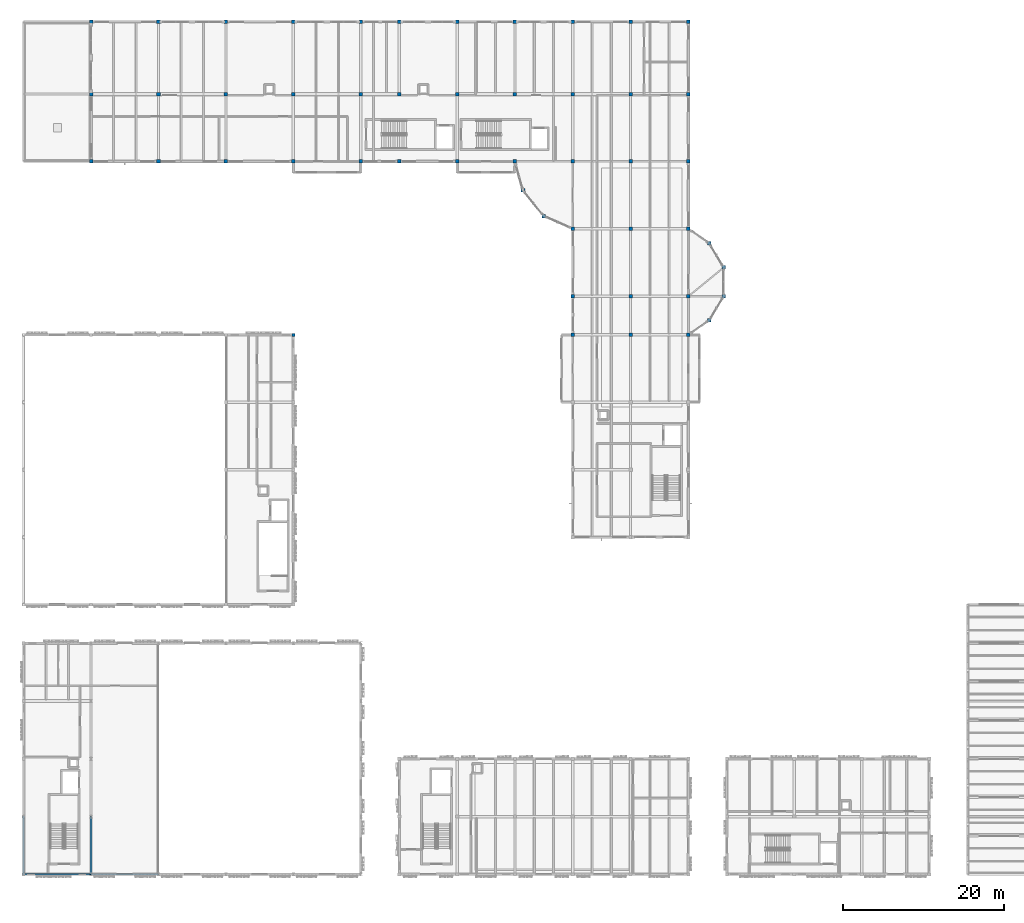
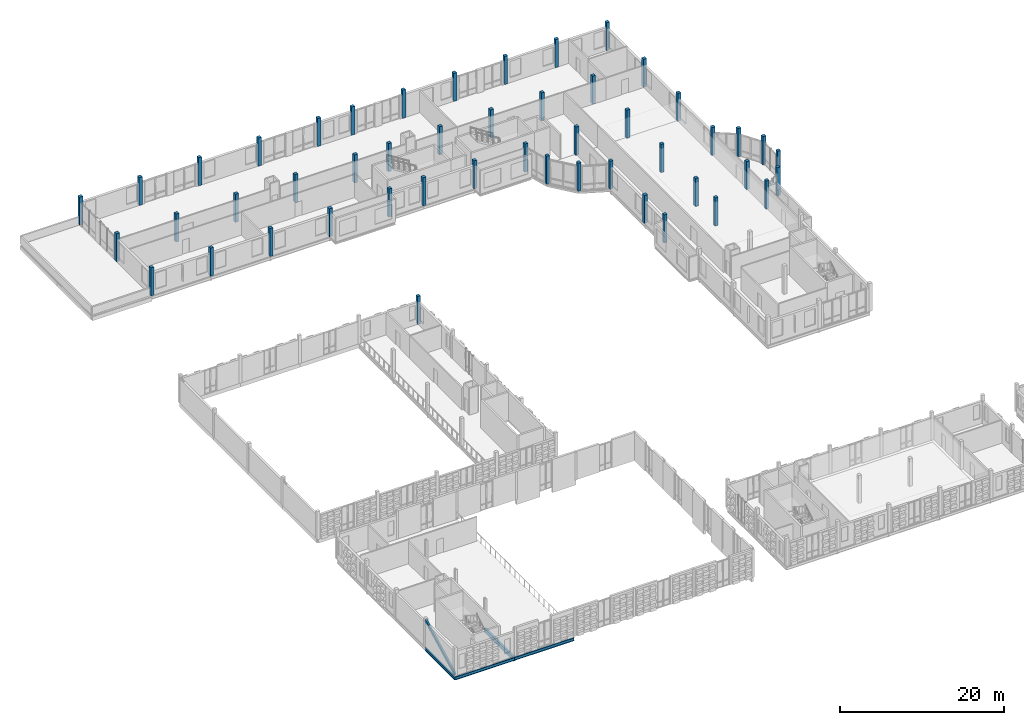
# One storey, part 4 of 81: 49 columns, 4 beams, 1 member.
"""IFC4 building model written with IfcOpenShell, lengths in metres."""

import ifcopenshell
import ifcopenshell.guid

model = None  # the IFC model being written
_history = None  # IfcOwnerHistory: only IFC2X3 demands one
_inside = {}  # id of a spatial element -> (the spatial element, [elements in it])
_under = {}  # id of a project, library or spatial element -> (it, [spatial elements below it])
_declared = {}  # id of a project -> (the project, [libraries it declares])
_typed = {}  # id of a type object -> (the type object, [elements of that type])
_made_of = {}  # id of a material, layer set ... -> (it, [elements and type objects made of it])


def new_model(schema):
    """Start an empty IFC model of exactly this schema.

    Asked for "IFC4X3", IfcOpenShell would pick the latest addendum, in which some entities
    have other attributes; the version numbers below select the first issue.
    IFC2X3 requires an IfcOwnerHistory on every rooted entity: one is made here for all.
    """
    global model, _history
    if schema == "IFC4X3":
        model = ifcopenshell.file(schema_version=(4, 3, 0, 0))
    else:
        model = ifcopenshell.file(schema=schema)
    _inside.clear()
    _under.clear()
    _declared.clear()
    _typed.clear()
    _made_of.clear()
    _history = None
    if model.schema == "IFC2X3":
        org = make("IfcOrganization", Name="unknown")
        user = make(
            "IfcPersonAndOrganization",
            ThePerson=make("IfcPerson", FamilyName="unknown"),
            TheOrganization=org,
        )
        app = make(
            "IfcApplication",
            ApplicationDeveloper=org,
            Version="unknown",
            ApplicationFullName="unknown",
            ApplicationIdentifier="unknown",
        )
        _history = make(
            "IfcOwnerHistory",
            OwningUser=user,
            OwningApplication=app,
            ChangeAction="ADDED",
            CreationDate=0,
        )
    return model


def make(cls, **values):
    """One entity of the class cls with the attributes given. An attribute that is None is left unset."""
    return model.create_entity(
        cls, **{name: value for name, value in values.items() if value is not None}
    )


def rooted(cls, **values):
    """An entity with a GlobalId (a new one), such as an element, a storey or a relation."""
    return make(cls, GlobalId=ifcopenshell.guid.new(), OwnerHistory=_history, **values)


def si_unit(unit_type, name, prefix=None):
    """IfcSIUnit, for example si_unit("LENGTHUNIT", "METRE", prefix="MILLI")."""
    return make("IfcSIUnit", UnitType=unit_type, Prefix=prefix, Name=name)


def assignment(units):
    """IfcUnitAssignment: the units of a project."""
    return None if units is None else make("IfcUnitAssignment", Units=units)


def point(xyz):
    """IfcCartesianPoint."""
    return None if xyz is None else make("IfcCartesianPoint", Coordinates=xyz)


def direction(xyz):
    """IfcDirection."""
    return None if xyz is None else make("IfcDirection", DirectionRatios=xyz)


def frame(location, z_axis=None, x_axis=None):
    """IfcAxis2Placement3D, a coordinate frame: its origin and axes. An axis left out is left unset."""
    return make(
        "IfcAxis2Placement3D",
        Location=point(location),
        Axis=direction(z_axis),
        RefDirection=direction(x_axis),
    )


def frame_2d(location, x_axis=None):
    """IfcAxis2Placement2D, a coordinate frame in the plane: its origin and x axis."""
    return make(
        "IfcAxis2Placement2D", Location=point(location), RefDirection=direction(x_axis)
    )


def origin():
    """The frame at (0, 0, 0) with its axes left unset."""
    return frame((0.0, 0.0, 0.0))


def origin_2d():
    """The frame at (0, 0) in the plane with its x axis left unset."""
    return frame_2d((0.0, 0.0))


def place(relative_to, where):
    """IfcLocalPlacement: puts the frame where relative to a parent placement (None: the world)."""
    return make(
        "IfcLocalPlacement", PlacementRelTo=relative_to, RelativePlacement=where
    )


def context(
    kind, dimensions, precision=None, world=None, true_north=None, identifier=None
):
    """IfcGeometricRepresentationContext, for example the 3D "Model" context."""
    return make(
        "IfcGeometricRepresentationContext",
        ContextIdentifier=identifier,
        ContextType=kind,
        CoordinateSpaceDimension=dimensions,
        Precision=precision,
        WorldCoordinateSystem=world,
        TrueNorth=true_north,
    )


def subcontext(parent, identifier, kind, view, scale=None):
    """IfcGeometricRepresentationSubContext, for example "Body" below "Model"."""
    return make(
        "IfcGeometricRepresentationSubContext",
        ContextIdentifier=identifier,
        ContextType=kind,
        ParentContext=parent,
        TargetScale=scale,
        TargetView=view,
    )


def project(units=None, contexts=None):
    """IfcProject with its units and contexts."""
    return rooted(
        "IfcProject",
        Name="project",
        RepresentationContexts=contexts,
        UnitsInContext=assignment(units),
    )


def spatial(cls, under=None, at=None, **own):
    """A site, building, storey or space (cls), placed at a placement, below another one or the project."""
    s = rooted(cls, ObjectPlacement=at, **own)
    if under is not None:
        _under.setdefault(under.id(), (under, []))[1].append(s)
    return s


def profile(cls, at=None, kind="AREA", **sizes):
    """A parametric profile (cls). Its sizes go by their IFC names, for example OverallWidth=200.0."""
    return make(cls, ProfileType=kind, Position=at, **sizes)


def rectangle(**sizes):
    """IfcRectangleProfileDef."""
    return profile("IfcRectangleProfileDef", **sizes)


def hollow_rectangle(**sizes):
    """IfcRectangleHollowProfileDef."""
    return profile("IfcRectangleHollowProfileDef", **sizes)


def i_section(**sizes):
    """IfcIShapeProfileDef."""
    return profile("IfcIShapeProfileDef", **sizes)


def extrude(swept, where, along, depth):
    """IfcExtrudedAreaSolid: the profile swept, set in the frame where, extruded along a direction by depth."""
    return make(
        "IfcExtrudedAreaSolid",
        SweptArea=swept,
        Position=where,
        ExtrudedDirection=direction(along),
        Depth=depth,
    )


def shape(context_of_items, identifier, shape_type, items):
    """IfcShapeRepresentation: the items that make up one representation, for example the "Body"."""
    return make(
        "IfcShapeRepresentation",
        ContextOfItems=context_of_items,
        RepresentationIdentifier=identifier,
        RepresentationType=shape_type,
        Items=items,
    )


def material(Name=None, Category=None):
    """IfcMaterial."""
    return make("IfcMaterial", Name=Name, Category=Category)


def material_profile(
    of_material, cross_section, Name=None, Category=None, Priority=None
):
    """IfcMaterialProfile: a cross section and its material."""
    return make(
        "IfcMaterialProfile",
        Name=Name,
        Material=of_material,
        Profile=cross_section,
        Priority=Priority,
        Category=Category,
    )


def profile_set(profiles, Name=None, composite=None):
    """IfcMaterialProfileSet."""
    return make(
        "IfcMaterialProfileSet",
        Name=Name,
        MaterialProfiles=profiles,
        CompositeProfile=composite,
    )


def made_of(thing, what):
    """Note that an element or type object is made of a material, layer set ...; save() writes the relation."""
    if what is not None:
        _made_of.setdefault(what.id(), (what, []))[1].append(thing)
    return thing


def type_object(cls, material=None, **own):
    """A type object (cls), such as IfcWallType, which elements share."""
    return made_of(rooted(cls, **own), material)


def element(
    cls,
    number,
    at=None,
    inside=None,
    cuts=None,
    type_object=None,
    material=None,
    context=None,
    identifier="Body",
    shape_type=None,
    held_by="IfcProductDefinitionShape",
    body=None,
    shapes=None,
    **own,
):
    """One element of the class cls, such as IfcWall. Its Tag is "e" and its number.

    at: its placement. inside: the storey or other place that contains it. cuts: it is an
    opening in that element (IfcRelVoidsElement). A single representation is given by context,
    identifier, shape_type and body (its items); several are given by shapes. held_by: the class
    of the entity that holds the representations. save() writes the other relations.
    """
    e = rooted(cls, Tag="e%d" % number, ObjectPlacement=at, **own)
    if body is not None:
        shapes = [shape(context, identifier, shape_type, body)]
    if shapes is not None:
        e.Representation = make(held_by, Representations=shapes)
    if inside is not None:
        _inside.setdefault(inside.id(), (inside, []))[1].append(e)
    if cuts is not None:
        rooted(
            "IfcRelVoidsElement", RelatingBuildingElement=cuts, RelatedOpeningElement=e
        )
    if type_object is not None:
        _typed.setdefault(type_object.id(), (type_object, []))[1].append(e)
    return made_of(e, material)


def aggregate(whole, parts):
    """IfcRelAggregates: a whole, such as a stair, and the parts it consists of."""
    return rooted("IfcRelAggregates", RelatingObject=whole, RelatedObjects=parts)


def save(model, path):
    """Write the relations noted so far, then the file.

    IfcRelAggregates (storeys below a building ...), IfcRelContainedInSpatialStructure (elements
    in a storey), IfcRelDefinesByType, IfcRelAssociatesMaterial and IfcRelDeclares: one each for
    every whole, place, type object, material and project.
    """
    for whole, parts in _under.values():
        aggregate(whole, parts)
    for where, things in _inside.values():
        rooted(
            "IfcRelContainedInSpatialStructure",
            RelatedElements=things,
            RelatingStructure=where,
        )
    for kind, things in _typed.values():
        rooted("IfcRelDefinesByType", RelatedObjects=things, RelatingType=kind)
    for what, things in _made_of.values():
        rooted("IfcRelAssociatesMaterial", RelatedObjects=things, RelatingMaterial=what)
    for by, libraries in _declared.values():
        rooted("IfcRelDeclares", RelatingContext=by, RelatedDefinitions=libraries)
    model.write(path)


model = new_model("IFC4")

# Units and contexts
model_context = context("Model", 3, precision=1e-05, world=origin(), true_north=direction((0.0, 1.0)))
body_context = subcontext(model_context, "Body", "Model", "MODEL_VIEW")
ifc_project = project(units=[si_unit("LENGTHUNIT", "METRE"), si_unit("AREAUNIT", "SQUARE_METRE"), si_unit("VOLUMEUNIT", "CUBIC_METRE"), si_unit("PLANEANGLEUNIT", "RADIAN"), si_unit("MASSUNIT", "GRAM", prefix="KILO")], contexts=[model_context])

# Site, building, storey
site_placement = place(None, origin())
site = spatial("IfcSite", under=ifc_project, at=site_placement, CompositionType="ELEMENT")
building_placement = place(site_placement, origin())
building = spatial("IfcBuilding", under=site, at=building_placement, Name="Kahlenmark Community Centre", CompositionType="ELEMENT")
storey_placement = place(building_placement, frame((0.0, 0.0, 9.60009765625)))
storey = spatial("IfcBuildingStorey", under=building, at=storey_placement, Name="L02", CompositionType="ELEMENT", Elevation=9.60009765625)

# Columns
ifc_material_1 = material(Name="Glulam GL32h", Category="wood")
ifc_material_profile_1 = material_profile(ifc_material_1, rectangle(XDim=0.39990234375, YDim=0.39990234375, at=origin_2d()), Name="GL32h 400x400")
ifc_profile_set_1 = profile_set([ifc_material_profile_1], Name="Glulam GL32h")
column_type_1 = type_object("IfcColumnType", Name="CT-GL400", PredefinedType="COLUMN", material=ifc_profile_set_1)
column_placement = place(storey_placement, frame((37.60009765625, 76.0, 0.0), z_axis=(0.0, 0.0, 1.0), x_axis=(1.0, 0.0, 0.0)))
element("IfcColumn", 1, at=column_placement, inside=storey, type_object=column_type_1, Name="L02 column (37.6, 76.0)", PredefinedType="COLUMN", context=body_context, shape_type="SweptSolid", body=[
    extrude(rectangle(XDim=0.39990234375, YDim=0.39990234375, at=origin_2d()), origin(), (0.0, 0.0, 1.0), 4.199951171875),
])
ifc_material_profile_2 = material_profile(ifc_material_1, rectangle(XDim=0.43994140625, YDim=0.43994140625, at=origin_2d()), Name="GL32h 440x440")
ifc_profile_set_2 = profile_set([ifc_material_profile_2], Name="Glulam GL32h")
column_type_2 = type_object("IfcColumnType", Name="CT-GL440", PredefinedType="COLUMN", material=ifc_profile_set_2)
for number, where, z_axis, x_axis, name in (
    (2, (12.39990234375, 97.60009765625, 0.0), (0.0, 0.0, 1.0), (1.0, 0.0, 0.0), "L02 column (12.4, 97.6)"),
    (3, (12.39990234375, 106.0, 0.0), (0.0, 0.0, 1.0), (1.0, 0.0, 0.0), "L02 column (12.4, 106.0)"),
    (4, (12.39990234375, 115.0, 0.0), (0.0, 0.0, 1.0), (1.0, 0.0, 0.0), "L02 column (12.4, 115.0)"),
    (5, (20.800048828125, 97.60009765625, 0.0), (0.0, 0.0, 1.0), (1.0, 0.0, 0.0), "L02 column (20.8, 97.6)"),
    (6, (20.800048828125, 106.0, 0.0), (0.0, 0.0, 1.0), (1.0, 0.0, 0.0), "L02 column (20.8, 106.0)"),
    (7, (20.800048828125, 115.0, 0.0), (0.0, 0.0, 1.0), (1.0, 0.0, 0.0), "L02 column (20.8, 115.0)"),
    (8, (29.199951171875, 97.60009765625, 0.0), (0.0, 0.0, 1.0), (1.0, 0.0, 0.0), "L02 column (29.2, 97.6)"),
    (9, (29.199951171875, 106.0, 0.0), (0.0, 0.0, 1.0), (1.0, 0.0, 0.0), "L02 column (29.2, 106.0)"),
    (10, (29.199951171875, 115.0, 0.0), (0.0, 0.0, 1.0), (1.0, 0.0, 0.0), "L02 column (29.2, 115.0)"),
    (11, (37.60009765625, 97.60009765625, 0.0), (0.0, 0.0, 1.0), (1.0, 0.0, 0.0), "L02 column (37.6, 97.6)"),
    (12, (37.60009765625, 106.0, 0.0), (0.0, 0.0, 1.0), (1.0, 0.0, 0.0), "L02 column (37.6, 106.0)"),
    (13, (37.60009765625, 115.0, 0.0), (0.0, 0.0, 1.0), (1.0, 0.0, 0.0), "L02 column (37.6, 115.0)"),
    (14, (46.0, 97.60009765625, 0.0), (0.0, 0.0, 1.0), (1.0, 0.0, 0.0), "L02 column (46.0, 97.6)"),
    (15, (46.0, 106.0, 0.0), (0.0, 0.0, 1.0), (1.0, 0.0, 0.0), "L02 column (46.0, 106.0)"),
    (16, (46.0, 115.0, 0.0), (0.0, 0.0, 1.0), (1.0, 0.0, 0.0), "L02 column (46.0, 115.0)"),
    (17, (50.800048828125, 97.60009765625, 0.0), (0.0, 0.0, 1.0), (1.0, 0.0, 0.0), "L02 column (50.8, 97.6)"),
    (18, (50.800048828125, 106.0, 0.0), (0.0, 0.0, 1.0), (1.0, 0.0, 0.0), "L02 column (50.8, 106.0)"),
    (19, (50.800048828125, 115.0, 0.0), (0.0, 0.0, 1.0), (1.0, 0.0, 0.0), "L02 column (50.8, 115.0)"),
    (20, (58.0, 97.60009765625, 0.0), (0.0, 0.0, 1.0), (1.0, 0.0, 0.0), "L02 column (58.0, 97.6)"),
    (21, (58.0, 106.0, 0.0), (0.0, 0.0, 1.0), (1.0, 0.0, 0.0), "L02 column (58.0, 106.0)"),
    (22, (58.0, 115.0, 0.0), (0.0, 0.0, 1.0), (1.0, 0.0, 0.0), "L02 column (58.0, 115.0)"),
    (23, (65.199951171875, 97.60009765625, 0.0), (0.0, 0.0, 1.0), (1.0, 0.0, 0.0), "L02 column (65.2, 97.6)"),
    (24, (65.199951171875, 106.0, 0.0), (0.0, 0.0, 1.0), (1.0, 0.0, 0.0), "L02 column (65.2, 106.0)"),
    (25, (65.199951171875, 115.0, 0.0), (0.0, 0.0, 1.0), (1.0, 0.0, 0.0), "L02 column (65.2, 115.0)"),
    (26, (66.199951171875, 94.0, 0.0), (0.0, 0.0, 1.0), (1.0, 0.0, 0.0), "L02 column (66.2, 94.0)"),
    (27, (68.800048828125, 90.800048828125, 0.0), (0.0, 0.0, 1.0), (1.0, 0.0, 0.0), "L02 column (68.8, 90.8)"),
    (28, (72.39990234375, 76.0, 0.0), (0.0, 0.0, 1.0), (1.0, 0.0, 0.0), "L02 column (72.4, 76.0)"),
    (29, (72.39990234375, 80.800048828125, 0.0), (0.0, 0.0, 1.0), (1.0, 0.0, 0.0), "L02 column (72.4, 80.8)"),
    (30, (72.39990234375, 89.199951171875, 0.0), (0.0, 0.0, 1.0), (1.0, 0.0, 0.0), "L02 column (72.4, 89.2)"),
    (31, (72.39990234375, 97.60009765625, 0.0), (0.0, 0.0, 1.0), (1.0, 0.0, 0.0), "L02 column (72.4, 97.6)"),
    (32, (72.39990234375, 106.0, 0.0), (0.0, 0.0, 1.0), (1.0, 0.0, 0.0), "L02 column (72.4, 106.0)"),
    (33, (72.39990234375, 115.0, 0.0), (0.0, 0.0, 1.0), (1.0, 0.0, 0.0), "L02 column (72.4, 115.0)"),
    (34, (79.60009765625, 76.0, 0.0), (0.0, 0.0, 1.0), (1.0, 0.0, 0.0), "L02 column (79.6, 76.0)"),
    (35, (79.60009765625, 80.800048828125, 0.0), (0.0, 0.0, 1.0), (1.0, 0.0, 0.0), "L02 column (79.6, 80.8)"),
    (36, (79.60009765625, 89.199951171875, 0.0), (0.0, 0.0, 1.0), (1.0, 0.0, 0.0), "L02 column (79.6, 89.2)"),
    (37, (79.60009765625, 97.60009765625, 0.0), (0.0, 0.0, 1.0), (1.0, 0.0, 0.0), "L02 column (79.6, 97.6)"),
    (38, (79.60009765625, 106.0, 0.0), (0.0, 0.0, 1.0), (1.0, 0.0, 0.0), "L02 column (79.6, 106.0)"),
    (39, (79.60009765625, 115.0, 0.0), (0.0, 0.0, 1.0), (1.0, 0.0, 0.0), "L02 column (79.6, 115.0)"),
    (40, (86.800048828125, 76.0, 0.0), (0.0, 0.0, 1.0), (1.0, 0.0, 0.0), "L02 column (86.8, 76.0)"),
    (41, (86.800048828125, 80.800048828125, 0.0), (0.0, 0.0, 1.0), (1.0, 0.0, 0.0), "L02 column (86.8, 80.8)"),
    (42, (86.800048828125, 89.199951171875, 0.0), (0.0, 0.0, 1.0), (1.0, 0.0, 0.0), "L02 column (86.8, 89.2)"),
    (43, (86.800048828125, 97.60009765625, 0.0), (0.0, 0.0, 1.0), (1.0, 0.0, 0.0), "L02 column (86.8, 97.6)"),
    (44, (86.800048828125, 106.0, 0.0), (0.0, 0.0, 1.0), (1.0, 0.0, 0.0), "L02 column (86.8, 106.0)"),
    (45, (86.800048828125, 115.0, 0.0), (0.0, 0.0, 1.0), (1.0, 0.0, 0.0), "L02 column (86.8, 115.0)"),
    (46, (89.39990234375, 77.800048828125, 0.0), (0.0, 0.0, 1.0), (1.0, 0.0, 0.0), "L02 column (89.4, 77.8)"),
    (47, (89.39990234375, 87.39990234375, 0.0), (0.0, 0.0, 1.0), (1.0, 0.0, 0.0), "L02 column (89.4, 87.4)"),
    (48, (91.199951171875, 80.800048828125, 0.0), (0.0, 0.0, 1.0), (1.0, 0.0, 0.0), "L02 column (91.2, 80.8)"),
    (49, (91.199951171875, 84.39990234375, 0.0), (0.0, 0.0, 1.0), (1.0, 0.0, 0.0), "L02 column (91.2, 84.4)"),
):
    element("IfcColumn", number, at=place(storey_placement, frame(where, z_axis=z_axis, x_axis=x_axis)), inside=storey, type_object=column_type_2, Name=name, PredefinedType="COLUMN", context=body_context, shape_type="SweptSolid", body=[
        extrude(rectangle(XDim=0.43994140625, YDim=0.43994140625, at=origin_2d()), origin(), (0.0, 0.0, 1.0), 4.199951171875),
    ])

# Beams
ifc_material_profile_3 = material_profile(ifc_material_1, rectangle(XDim=0.280029296875, YDim=0.60009765625, at=origin_2d()), Name="GL32h 280x600")
ifc_profile_set_3 = profile_set([ifc_material_profile_3], Name="Glulam GL32h")
beam_type_1 = type_object("IfcBeamType", Name="BT-BEAM-GL32h280x600", PredefinedType="BEAM", material=ifc_profile_set_3)
beam_1_placement = place(storey_placement, frame((12.39990234375, 8.800048828125, -0.5400390625), z_axis=(0.0, 1.0, 0.0), x_axis=(-1.0, 0.0, 0.0)))
element("IfcBeam", 50, at=beam_1_placement, inside=storey, type_object=beam_type_1, Name="L02 beam BG-GL32h280x600", PredefinedType="BEAM", context=body_context, shape_type="SweptSolid", body=[
    extrude(rectangle(XDim=0.280029296875, YDim=0.60009765625, at=origin_2d()), origin(), (0.0, 0.0, 1.0), 7.199951171875),
])
ifc_material_2 = material(Name="Steel S355", Category="steel")
ifc_material_profile_4 = material_profile(ifc_material_2, i_section(OverallWidth=0.18994140625, OverallDepth=0.449951171875, WebThickness=0.009521484375, FlangeThickness=0.0146484375, at=origin_2d()), Name="IPE 450")
ifc_profile_set_4 = profile_set([ifc_material_profile_4], Name="Steel S355")
beam_type_2 = type_object("IfcBeamType", Name="BT-SPANDREL-IPE450", PredefinedType="SPANDREL", material=ifc_profile_set_4)
beam_2_placement = place(storey_placement, frame((4.0, 8.800048828125, -0.465087890625), z_axis=(1.0, 0.0, 0.0), x_axis=(0.0, 1.0, 0.0)))
element("IfcBeam", 51, at=beam_2_placement, inside=storey, type_object=beam_type_2, Name="L02 spandrel SP-IPE450", PredefinedType="SPANDREL", context=body_context, shape_type="SweptSolid", body=[
    extrude(i_section(OverallWidth=0.18994140625, OverallDepth=0.449951171875, WebThickness=0.009521484375, FlangeThickness=0.0146484375, at=origin_2d()), origin(), (0.0, 0.0, 1.0), 8.39990234375),
])
beam_3_placement = place(storey_placement, frame((12.39990234375, 8.800048828125, -0.465087890625), z_axis=(1.0, 0.0, 0.0), x_axis=(0.0, 1.0, 0.0)))
element("IfcBeam", 52, at=beam_3_placement, inside=storey, type_object=beam_type_2, Name="L02 spandrel SP-IPE450", PredefinedType="SPANDREL", context=body_context, shape_type="SweptSolid", body=[
    extrude(i_section(OverallWidth=0.18994140625, OverallDepth=0.449951171875, WebThickness=0.009521484375, FlangeThickness=0.0146484375, at=origin_2d()), origin(), (0.0, 0.0, 1.0), 8.400146484375),
])
beam_4_placement = place(storey_placement, frame((4.0, 8.800048828125, -0.465087890625), z_axis=(0.0, 1.0, 0.0), x_axis=(-1.0, 0.0, 0.0)))
element("IfcBeam", 53, at=beam_4_placement, inside=storey, type_object=beam_type_2, Name="L02 spandrel SP-IPE450", PredefinedType="SPANDREL", context=body_context, shape_type="SweptSolid", body=[
    extrude(i_section(OverallWidth=0.18994140625, OverallDepth=0.449951171875, WebThickness=0.009521484375, FlangeThickness=0.0146484375, at=origin_2d()), origin(), (0.0, 0.0, 1.0), 7.199951171875),
])

# Member
ifc_material_profile_5 = material_profile(ifc_material_2, hollow_rectangle(XDim=0.25, YDim=0.39990234375, WallThickness=0.01611328125, at=origin_2d()), Name="RHS 400x250x16")
ifc_profile_set_5 = profile_set([ifc_material_profile_5], Name="Steel S355")
member_type = type_object("IfcMemberType", Name="MT-BRACE-RHS400x250x16", PredefinedType="BRACE", material=ifc_profile_set_5)
member_placement = place(storey_placement, frame((4.0, 8.800048828125, 0.14990234375), z_axis=(0.0, 0.886912800704, 0.461936883077), x_axis=(-1.0, 0.0, 0.0)))
element("IfcMember", 54, at=member_placement, inside=storey, type_object=member_type, Name="L02 brace BF-DIAG", PredefinedType="BRACE", context=body_context, shape_type="SweptSolid", body=[
    extrude(hollow_rectangle(XDim=0.25, YDim=0.39990234375, WallThickness=0.01611328125, at=origin_2d()), origin(), (0.0, 0.0, 1.0), 8.117919921875),
])

save(model, "model.ifc")
